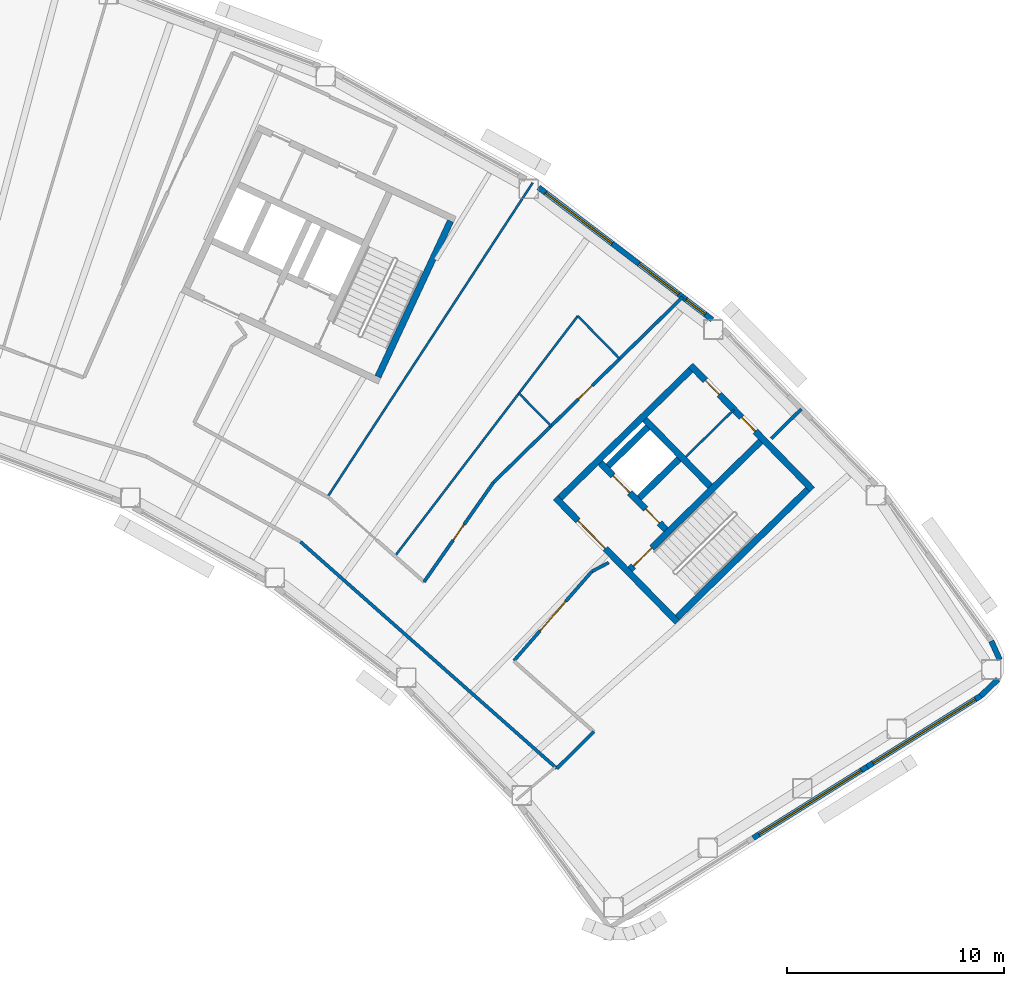
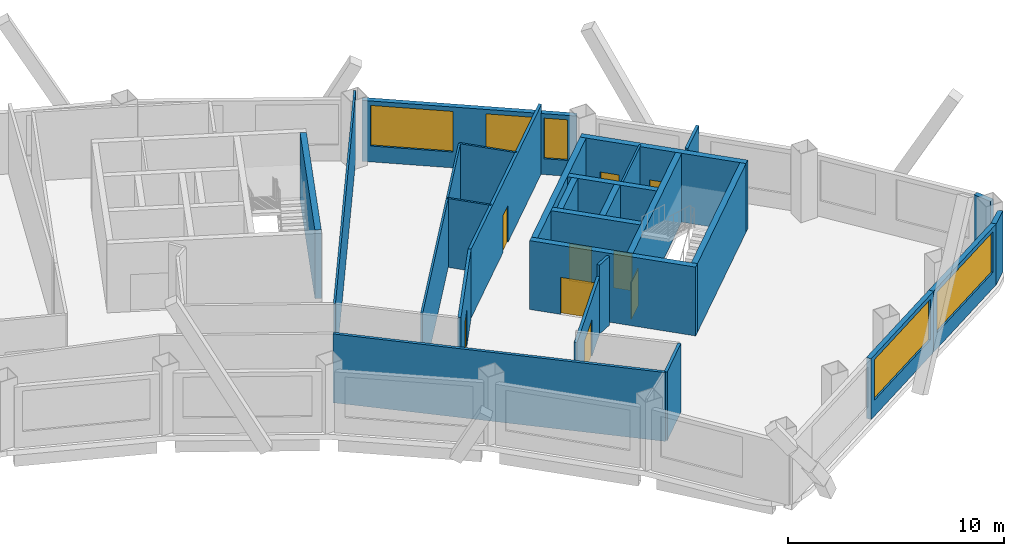
# One storey, part 9 of 13: 27 walls, 9 doors, 5 windows, 14 openings.
"""IFC4 building model written with IfcOpenShell, lengths in metres."""

from ifc_helpers import new_model, si_unit, direction, frame, frame_2d, origin, place, context, subcontext, project, spatial, rectangle, extrude, material, layer, layer_set, type_object, element, fill, save


model = new_model("IFC4")

# Units and contexts
model_context = context("Model", 3, precision=1e-05, world=origin(), true_north=direction((0.0, 1.0)))
body_context = subcontext(model_context, "Body", "Model", "MODEL_VIEW")
ifc_project = project(units=[si_unit("LENGTHUNIT", "METRE"), si_unit("AREAUNIT", "SQUARE_METRE"), si_unit("VOLUMEUNIT", "CUBIC_METRE"), si_unit("PLANEANGLEUNIT", "RADIAN"), si_unit("MASSUNIT", "GRAM", prefix="KILO")], contexts=[model_context])

# Site, building, storey
site_placement = place(None, origin())
site = spatial("IfcSite", under=ifc_project, at=site_placement, CompositionType="ELEMENT")
building_placement = place(site_placement, origin())
building = spatial("IfcBuilding", under=site, at=building_placement, Name="Tuul Gate Civic Tower", CompositionType="ELEMENT")
storey_placement = place(building_placement, frame((0.0, 0.0, 188.89990234375)))
storey = spatial("IfcBuildingStorey", under=building, at=storey_placement, Name="Level 43", CompositionType="ELEMENT", Elevation=188.89990234375)

# Wall, opening, door
ifc_material_1 = material(Name="Concrete C50/60", Category="concrete")
ifc_layer_1 = layer(ifc_material_1, 0.300048828125)
ifc_layer_set_1 = layer_set([ifc_layer_1], Name="Concrete C50/60")
wall_type_1 = type_object("IfcWallType", Name="Core wall C50/60", PredefinedType="SHEAR", material=ifc_layer_set_1)
wall_1_placement = place(storey_placement, frame((48.22509765625, -18.327880859375, 0.0), z_axis=(0.0, 0.0, 1.0), x_axis=(-0.700021979774, 0.714121297703, 0.0)))
wall_1 = element("IfcWall", 1, at=wall_1_placement, inside=storey, type_object=wall_type_1, Name="Core wall", PredefinedType="SHEAR", context=body_context, shape_type="SweptSolid", body=[
    extrude(rectangle(XDim=8.0, YDim=0.300048828125, at=frame_2d((4.0, 0.0))), origin(), (0.0, 0.0, 1.0), 3.900146484375),
])
opening_1_placement = place(wall_1_placement, frame((4.72509765625, 0.0, 0.0)))
opening_1 = element("IfcOpeningElement", 2, at=opening_1_placement, cuts=wall_1, Name="Opening LB-E1-LOBBY-1", PredefinedType="OPENING", context=body_context, shape_type="SweptSolid", body=[
    extrude(rectangle(XDim=1.800048828125, YDim=2.10009765625, at=frame_2d((0.89990234375, 1.050048828125))), frame((0.0, 0.16015625, 0.0), z_axis=(0.0, -1.0, 0.0), x_axis=(1.0, 0.0, 0.0)), (0.0, 0.0, 1.0), 0.320068359375),
])
ifc_material_2 = material(Name="Steel", Category="steel")
door_type_1 = type_object("IfcDoorType", Name="Lobby door", OperationType="DOUBLE_DOOR_SINGLE_SWING", PredefinedType="DOOR", material=ifc_material_2)
door_1_placement = place(opening_1_placement, frame((1.800048828125, 0.0, 0.0), z_axis=(0.0, 0.0, 1.0), x_axis=(-1.0, 0.0, 0.0)))
door_1 = element("IfcDoor", 3, at=door_1_placement, inside=storey, type_object=door_type_1, Name="Lobby door E1-LOBBY", OperationType="DOUBLE_DOOR_SINGLE_SWING", OverallHeight=2.10009765625, OverallWidth=1.800048828125, PredefinedType="DOOR", context=body_context, shape_type="SweptSolid", body=[
    extrude(rectangle(XDim=1.800048828125, YDim=2.10009765625, at=frame_2d((0.900146484375, 1.050048828125))), frame((0.0, 0.02490234375, 0.0), z_axis=(0.0, -1.0, 0.0), x_axis=(1.0, 0.0, 0.0)), (0.0, 0.0, 1.0), 0.050048828125),
])
fill(opening_1, door_1)

# Wall, openings, doors
wall_2_placement = place(storey_placement, frame((47.701904296875, -14.079833984375, 0.0), z_axis=(0.0, 0.0, 1.0), x_axis=(-0.700002721075, 0.714140175657, 0.0)))
wall_2 = element("IfcWall", 4, at=wall_2_placement, inside=storey, type_object=wall_type_1, Name="Core wall", PredefinedType="SHEAR", context=body_context, shape_type="SweptSolid", body=[
    extrude(rectangle(XDim=4.300048828125, YDim=0.300048828125, at=frame_2d((2.14990234375, 0.0))), origin(), (0.0, 0.0, 1.0), 3.900146484375),
])
opening_2_placement = place(wall_2_placement, frame((0.425048828125, 0.0, 0.0)))
opening_2 = element("IfcOpeningElement", 5, at=opening_2_placement, cuts=wall_2, Name="Opening FB-E1A1", PredefinedType="OPENING", context=body_context, shape_type="SweptSolid", body=[
    extrude(rectangle(XDim=0.89990234375, YDim=2.10009765625, at=frame_2d((0.449951171875, 1.050048828125))), frame((0.0, 0.16015625, 0.0), z_axis=(0.0, -1.0, 0.0), x_axis=(1.0, 0.0, 0.0)), (0.0, 0.0, 1.0), 0.320068359375),
])
opening_3_placement = place(wall_2_placement, frame((2.375, 0.0, 0.0)))
opening_3 = element("IfcOpeningElement", 6, at=opening_3_placement, cuts=wall_2, Name="Opening LD-M3", PredefinedType="OPENING", context=body_context, shape_type="SweptSolid", body=[
    extrude(rectangle(XDim=1.10009765625, YDim=2.10009765625, at=frame_2d((0.550048828125, 1.050048828125))), frame((0.0, 0.16015625, 0.0), z_axis=(0.0, -1.0, 0.0), x_axis=(1.0, 0.0, 0.0)), (0.0, 0.0, 1.0), 0.320068359375),
])
ifc_material_3 = material(Name="Stainless steel", Category="steel")
door_type_2 = type_object("IfcDoorType", Name="Landing door", OperationType="DOUBLE_DOOR_SLIDING", PredefinedType="DOOR", material=ifc_material_3)
door_2_placement = place(opening_3_placement, origin())
door_2 = element("IfcDoor", 7, at=door_2_placement, inside=storey, type_object=door_type_2, Name="Mid-rise lift M3 landing door", OperationType="DOUBLE_DOOR_SLIDING", OverallHeight=2.10009765625, OverallWidth=1.10009765625, PredefinedType="DOOR", context=body_context, shape_type="SweptSolid", body=[
    extrude(rectangle(XDim=1.10009765625, YDim=2.10009765625, at=frame_2d((0.550048828125, 1.050048828125))), frame((0.0, 0.02490234375, 0.0), z_axis=(0.0, -1.0, 0.0), x_axis=(1.0, 0.0, 0.0)), (0.0, 0.0, 1.0), 0.050048828125),
])
fill(opening_3, door_2)
ifc_material_4 = material(Name="Steel", Category="steel")
door_type_3 = type_object("IfcDoorType", Name="Store door", OperationType="NOTDEFINED", PredefinedType="DOOR", material=ifc_material_4)
door_3_placement = place(opening_2_placement, frame((0.89990234375, 0.0, 0.0), z_axis=(0.0, 0.0, 1.0), x_axis=(-1.0, 0.0, 0.0)))
door_3 = element("IfcDoor", 8, at=door_3_placement, inside=storey, type_object=door_type_3, Name="Store door E1A1", OperationType="SINGLE_SWING_RIGHT", OverallHeight=2.10009765625, OverallWidth=0.89990234375, PredefinedType="DOOR", context=body_context, shape_type="SweptSolid", body=[
    extrude(rectangle(XDim=0.89990234375, YDim=2.10009765625, at=frame_2d((0.449951171875, 1.050048828125))), frame((0.0, 0.02490234375, 0.0), z_axis=(0.0, -1.0, 0.0), x_axis=(1.0, 0.0, 0.0)), (0.0, 0.0, 1.0), 0.050048828125),
])
fill(opening_2, door_3)

# Wall
wall_3_placement = place(storey_placement, frame((49.737060546875, -12.0849609375, 0.0), z_axis=(0.0, 0.0, 1.0), x_axis=(-0.700002721075, 0.714140175657, 0.0)))
element("IfcWall", 9, at=wall_3_placement, inside=storey, type_object=wall_type_1, Name="Core wall", PredefinedType="SHEAR", context=body_context, shape_type="SweptSolid", body=[
    extrude(rectangle(XDim=4.300048828125, YDim=0.300048828125, at=frame_2d((2.14990234375, 0.0))), origin(), (0.0, 0.0, 1.0), 3.900146484375),
])

# Wall, openings, doors
wall_4_placement = place(storey_placement, frame((54.43798828125, -12.23779296875, 0.0), z_axis=(0.0, 0.0, 1.0), x_axis=(-0.700021979774, 0.714121297703, 0.0)))
wall_4 = element("IfcWall", 10, at=wall_4_placement, inside=storey, type_object=wall_type_1, Name="Core wall", PredefinedType="SHEAR", context=body_context, shape_type="SweptSolid", body=[
    extrude(rectangle(XDim=8.0, YDim=0.300048828125, at=frame_2d((4.0, 0.0))), origin(), (0.0, 0.0, 1.0), 3.900146484375),
])
opening_4_placement = place(wall_4_placement, frame((3.75, 0.0, 0.0)))
opening_4 = element("IfcOpeningElement", 11, at=opening_4_placement, cuts=wall_4, Name="Opening O-D27", PredefinedType="OPENING", context=body_context, shape_type="SweptSolid", body=[
    extrude(rectangle(XDim=0.89990234375, YDim=2.10009765625, at=frame_2d((0.449951171875, 1.050048828125))), frame((0.0, 0.16015625, 0.0), z_axis=(0.0, -1.0, 0.0), x_axis=(1.0, 0.0, 0.0)), (0.0, 0.0, 1.0), 0.320068359375),
])
opening_5_placement = place(wall_4_placement, frame((6.125, 0.0, 0.0)))
opening_5 = element("IfcOpeningElement", 12, at=opening_5_placement, cuts=wall_4, Name="Opening O-D28", PredefinedType="OPENING", context=body_context, shape_type="SweptSolid", body=[
    extrude(rectangle(XDim=0.89990234375, YDim=2.10009765625, at=frame_2d((0.449951171875, 1.050048828125))), frame((0.0, 0.16015625, 0.0), z_axis=(0.0, -1.0, 0.0), x_axis=(1.0, 0.0, 0.0)), (0.0, 0.0, 1.0), 0.320068359375),
])
ifc_material_5 = material(Name="Timber door leaf", Category="wood")
door_type_4 = type_object("IfcDoorType", Name="Door D09", OperationType="NOTDEFINED", PredefinedType="DOOR", material=ifc_material_5)
door_4_placement = place(opening_4_placement, origin())
door_4 = element("IfcDoor", 13, at=door_4_placement, inside=storey, type_object=door_type_4, Name="Door O-D27", OperationType="SINGLE_SWING_LEFT", OverallHeight=2.10009765625, OverallWidth=0.89990234375, PredefinedType="DOOR", context=body_context, shape_type="SweptSolid", body=[
    extrude(rectangle(XDim=0.89990234375, YDim=2.10009765625, at=frame_2d((0.449951171875, 1.050048828125))), frame((0.0, 0.02490234375, 0.0), z_axis=(0.0, -1.0, 0.0), x_axis=(1.0, 0.0, 0.0)), (0.0, 0.0, 1.0), 0.050048828125),
])
fill(opening_4, door_4)
door_5_placement = place(opening_5_placement, origin())
door_5 = element("IfcDoor", 14, at=door_5_placement, inside=storey, type_object=door_type_4, Name="Door O-D28", OperationType="SINGLE_SWING_LEFT", OverallHeight=2.10009765625, OverallWidth=0.89990234375, PredefinedType="DOOR", context=body_context, shape_type="SweptSolid", body=[
    extrude(rectangle(XDim=0.89990234375, YDim=2.10009765625, at=frame_2d((0.449951171875, 1.050048828125))), frame((0.0, 0.02490234375, 0.0), z_axis=(0.0, -1.0, 0.0), x_axis=(1.0, 0.0, 0.0)), (0.0, 0.0, 1.0), 0.050048828125),
])
fill(opening_5, door_5)

# Wall
wall_5_placement = place(storey_placement, frame((48.227294921875, -18.115966796875, 0.0), z_axis=(0.0, 0.0, 1.0), x_axis=(0.714105315431, 0.700038283577, 0.0)))
element("IfcWall", 15, at=wall_5_placement, inside=storey, type_object=wall_type_1, Name="Core wall", PredefinedType="SHEAR", context=body_context, shape_type="SweptSolid", body=[
    extrude(rectangle(XDim=8.400146484375, YDim=0.300048828125, at=frame_2d((4.2001953125, 0.0))), origin(), (0.0, 0.0, 1.0), 3.900146484375),
])

# Wall, opening, door
wall_6_placement = place(storey_placement, frame((46.05712890625, -15.902099609375, 0.0), z_axis=(0.0, 0.0, 1.0), x_axis=(0.714134086973, 0.700008932674, 0.0)))
wall_6 = element("IfcWall", 16, at=wall_6_placement, inside=storey, type_object=wall_type_1, Name="Core wall", PredefinedType="SHEAR", context=body_context, shape_type="SweptSolid", body=[
    extrude(rectangle(XDim=8.400146484375, YDim=0.300048828125, at=frame_2d((4.2001953125, 0.0))), origin(), (0.0, 0.0, 1.0), 3.900146484375),
])
opening_6_placement = place(wall_6_placement, frame((0.199951171875, 0.0, 0.0)))
opening_6 = element("IfcOpeningElement", 17, at=opening_6_placement, cuts=wall_6, Name="Opening SD-ST-3", PredefinedType="OPENING", context=body_context, shape_type="SweptSolid", body=[
    extrude(rectangle(XDim=1.199951171875, YDim=2.10009765625, at=frame_2d((0.60009765625, 1.050048828125))), frame((0.0, 0.16015625, 0.0), z_axis=(0.0, -1.0, 0.0), x_axis=(1.0, 0.0, 0.0)), (0.0, 0.0, 1.0), 0.320068359375),
])
ifc_material_6 = material(Name="Steel", Category="steel")
door_type_5 = type_object("IfcDoorType", Name="Stair door", OperationType="NOTDEFINED", PredefinedType="DOOR", material=ifc_material_6)
door_6_placement = place(opening_6_placement, origin())
door_6 = element("IfcDoor", 18, at=door_6_placement, inside=storey, type_object=door_type_5, Name="Stair door ST-3", OperationType="SINGLE_SWING_LEFT", OverallHeight=2.10009765625, OverallWidth=1.199951171875, PredefinedType="DOOR", context=body_context, shape_type="SweptSolid", body=[
    extrude(rectangle(XDim=1.199951171875, YDim=2.10009765625, at=frame_2d((0.60009765625, 1.050048828125))), frame((0.0, 0.02490234375, 0.0), z_axis=(0.0, -1.0, 0.0), x_axis=(1.0, 0.0, 0.0)), (0.0, 0.0, 1.0), 0.050048828125),
])
fill(opening_6, door_6)

# Walls
wall_7_placement = place(storey_placement, frame((46.47900390625, -12.617919921875, 0.0), z_axis=(0.0, 0.0, 1.0), x_axis=(0.71410944159, 0.700034074479, 0.0)))
element("IfcWall", 19, at=wall_7_placement, inside=storey, type_object=wall_type_1, Name="Core wall", PredefinedType="SHEAR", context=body_context, shape_type="SweptSolid", body=[
    extrude(rectangle(XDim=2.5498046875, YDim=0.300048828125, at=frame_2d((1.27490234375, 0.0))), origin(), (0.0, 0.0, 1.0), 3.900146484375),
])
wall_8_placement = place(storey_placement, frame((45.0439453125, -11.154052734375, 0.0), z_axis=(0.0, 0.0, 1.0), x_axis=(0.714108498262, 0.700035036773, 0.0)))
element("IfcWall", 20, at=wall_8_placement, inside=storey, type_object=wall_type_1, Name="Core wall", PredefinedType="SHEAR", context=body_context, shape_type="SweptSolid", body=[
    extrude(rectangle(XDim=2.550048828125, YDim=0.300048828125, at=frame_2d((1.27490234375, 0.0))), origin(), (0.0, 0.0, 1.0), 3.900146484375),
])
wall_9_placement = place(storey_placement, frame((42.837158203125, -12.616943359375, 0.0), z_axis=(0.0, 0.0, 1.0), x_axis=(0.714119844755, 0.700023461983, 0.0)))
element("IfcWall", 21, at=wall_9_placement, inside=storey, type_object=wall_type_1, Name="Core wall", PredefinedType="SHEAR", context=body_context, shape_type="SweptSolid", body=[
    extrude(rectangle(XDim=8.39990234375, YDim=0.300048828125, at=frame_2d((4.199951171875, 0.0))), origin(), (0.0, 0.0, 1.0), 3.900146484375),
])
wall_10_placement = place(storey_placement, frame((34.455810546875, -7.05078125, 0.0), z_axis=(0.0, 0.0, 1.0), x_axis=(0.422570768258, 0.906329932096, 0.0)))
element("IfcWall", 22, at=wall_10_placement, inside=storey, type_object=wall_type_1, Name="Core wall", PredefinedType="SHEAR", context=body_context, shape_type="SweptSolid", body=[
    extrude(rectangle(XDim=7.900146484375, YDim=0.300048828125, at=frame_2d((3.9501953125, 0.0))), origin(), (0.0, 0.0, 1.0), 3.900146484375),
])
ifc_material_7 = material(Name="Gypsum board partition")
ifc_layer_2 = layer(ifc_material_7, 0.14990234375)
ifc_layer_set_2 = layer_set([ifc_layer_2], Name="Gypsum board partition")
wall_type_2 = type_object("IfcWallType", Name="Corridor wall P150", PredefinedType="PARTITIONING", material=ifc_layer_set_2)
wall_11_placement = place(storey_placement, frame((42.68359375, -25.06103515625, 0.0), z_axis=(0.0, 0.0, 1.0), x_axis=(0.711669598432, 0.702514329155, 0.0)))
element("IfcWall", 23, at=wall_11_placement, inside=storey, type_object=wall_type_2, Name="p002", PredefinedType="PARTITIONING", context=body_context, shape_type="SweptSolid", body=[
    extrude(rectangle(XDim=2.39990234375, YDim=0.14990234375, at=frame_2d((1.199951171875, 0.0))), origin(), (0.0, 0.0, 1.0), 3.900146484375),
])
wall_12_placement = place(storey_placement, frame((44.297607421875, -16.002685546875, 0.0), z_axis=(0.0, 0.0, 1.0), x_axis=(0.885518894056, 0.464603366616, 0.0)))
element("IfcWall", 24, at=wall_12_placement, inside=storey, type_object=wall_type_2, Name="p006", PredefinedType="PARTITIONING", context=body_context, shape_type="SweptSolid", body=[
    extrude(rectangle(XDim=0.871826171875, YDim=0.14990234375, at=frame_2d((0.43603515625, 0.0))), origin(), (0.0, 0.0, 1.0), 3.900146484375),
])
wall_13_placement = place(storey_placement, frame((52.5517578125, -9.88525390625, 0.0), z_axis=(0.0, 0.0, 1.0), x_axis=(0.714076550364, 0.700067625463, 0.0)))
element("IfcWall", 25, at=wall_13_placement, inside=storey, type_object=wall_type_2, Name="p007", PredefinedType="PARTITIONING", context=body_context, shape_type="SweptSolid", body=[
    extrude(rectangle(XDim=1.9345703125, YDim=0.14990234375, at=frame_2d((0.96728515625, 0.0))), origin(), (0.0, 0.0, 1.0), 3.900146484375),
])
wall_14_placement = place(storey_placement, frame((30.89306640625, -14.639404296875, 0.0), z_axis=(0.0, 0.0, 1.0), x_axis=(0.749263018591, -0.662272548859, 0.0)))
element("IfcWall", 26, at=wall_14_placement, inside=storey, type_object=wall_type_2, Name="p008", PredefinedType="PARTITIONING", context=body_context, shape_type="SweptSolid", body=[
    extrude(rectangle(XDim=15.736083984375, YDim=0.14990234375, at=frame_2d((7.8681640625, 0.0))), origin(), (0.0, 0.0, 1.0), 3.900146484375),
])

# Wall, opening, door
wall_15_placement = place(storey_placement, frame((39.759521484375, -11.923095703125, 0.0), z_axis=(0.0, 0.0, 1.0), x_axis=(0.714135407695, 0.700007585299, 0.0)))
wall_15 = element("IfcWall", 27, at=wall_15_placement, inside=storey, type_object=wall_type_2, Name="p012", PredefinedType="PARTITIONING", context=body_context, shape_type="SweptSolid", body=[
    extrude(rectangle(XDim=12.2001953125, YDim=0.14990234375, at=frame_2d((6.10009765625, 0.0))), origin(), (0.0, 0.0, 1.0), 3.900146484375),
])
opening_7_placement = place(wall_15_placement, frame((5.4833984375, 0.0, 0.0)))
opening_7 = element("IfcOpeningElement", 28, at=opening_7_placement, cuts=wall_15, Name="Opening O-D02", PredefinedType="OPENING", context=body_context, shape_type="SweptSolid", body=[
    extrude(rectangle(XDim=0.89990234375, YDim=2.10009765625, at=frame_2d((0.449951171875, 1.050048828125))), frame((0.0, 0.0849609375, 0.0), z_axis=(0.0, -1.0, 0.0), x_axis=(1.0, 0.0, 0.0)), (0.0, 0.0, 1.0), 0.169921875),
])
door_7_placement = place(opening_7_placement, origin())
door_7 = element("IfcDoor", 29, at=door_7_placement, inside=storey, type_object=door_type_4, Name="Door O-D02", OperationType="SINGLE_SWING_RIGHT", OverallHeight=2.10009765625, OverallWidth=0.89990234375, PredefinedType="DOOR", context=body_context, shape_type="SweptSolid", body=[
    extrude(rectangle(XDim=0.89990234375, YDim=2.10009765625, at=frame_2d((0.449951171875, 1.050048828125))), frame((0.0, 0.02490234375, 0.0), z_axis=(0.0, -1.0, 0.0), x_axis=(1.0, 0.0, 0.0)), (0.0, 0.0, 1.0), 0.050048828125),
])
fill(opening_7, door_7)

wall_16_placement = place(storey_placement, frame((36.5791015625, -16.481201171875, 0.0), z_axis=(0.0, 0.0, 1.0), x_axis=(0.572223507899, 0.820097711866, 0.0)))
wall_16 = element("IfcWall", 30, at=wall_16_placement, inside=storey, type_object=wall_type_2, Name="p074", PredefinedType="PARTITIONING", context=body_context, shape_type="SweptSolid", body=[
    extrude(rectangle(XDim=5.55810546875, YDim=0.14990234375, at=frame_2d((2.779052734375, 0.0))), origin(), (0.0, 0.0, 1.0), 3.900146484375),
])
opening_8_placement = place(wall_16_placement, frame((2.3291015625, 0.0, 0.0)))
opening_8 = element("IfcOpeningElement", 31, at=opening_8_placement, cuts=wall_16, Name="Opening O-D24", PredefinedType="OPENING", context=body_context, shape_type="SweptSolid", body=[
    extrude(rectangle(XDim=0.89990234375, YDim=2.10009765625, at=frame_2d((0.449951171875, 1.050048828125))), frame((0.0, 0.0849609375, 0.0), z_axis=(0.0, -1.0, 0.0), x_axis=(1.0, 0.0, 0.0)), (0.0, 0.0, 1.0), 0.169921875),
])
door_8_placement = place(opening_8_placement, origin())
door_8 = element("IfcDoor", 32, at=door_8_placement, inside=storey, type_object=door_type_4, Name="Door O-D24", OperationType="SINGLE_SWING_RIGHT", OverallHeight=2.10009765625, OverallWidth=0.89990234375, PredefinedType="DOOR", context=body_context, shape_type="SweptSolid", body=[
    extrude(rectangle(XDim=0.89990234375, YDim=2.10009765625, at=frame_2d((0.449951171875, 1.050048828125))), frame((0.0, 0.02490234375, 0.0), z_axis=(0.0, -1.0, 0.0), x_axis=(1.0, 0.0, 0.0)), (0.0, 0.0, 1.0), 0.050048828125),
])
fill(opening_8, door_8)

ifc_material_8 = material(Name="Gypsum board partition")
ifc_layer_3 = layer(ifc_material_8, 0.14990234375)
ifc_layer_set_3 = layer_set([ifc_layer_3], Name="Gypsum board partition")
wall_type_3 = type_object("IfcWallType", Name="Corridor wall P150 3250 HIGH", PredefinedType="PARTITIONING", material=ifc_layer_set_3)
wall_17_placement = place(storey_placement, frame((40.714111328125, -20.10595703125, 0.0), z_axis=(0.0, 0.0, 1.0), x_axis=(0.657605101482, 0.753362814655, 0.0)))
wall_17 = element("IfcWall", 33, at=wall_17_placement, inside=storey, type_object=wall_type_3, Name="p005", PredefinedType="PARTITIONING", context=body_context, shape_type="SweptSolid", body=[
    extrude(rectangle(XDim=5.440673828125, YDim=0.14990234375, at=frame_2d((2.72021484375, 0.0))), origin(), (0.0, 0.0, 1.0), 3.25),
])
opening_9_placement = place(wall_17_placement, frame((1.8203125, 0.0, 0.0)))
opening_9 = element("IfcOpeningElement", 34, at=opening_9_placement, cuts=wall_17, Name="Opening O-D01", PredefinedType="OPENING", context=body_context, shape_type="SweptSolid", body=[
    extrude(rectangle(XDim=1.800048828125, YDim=2.10009765625, at=frame_2d((0.89990234375, 1.050048828125))), frame((0.0, 0.0849609375, 0.0), z_axis=(0.0, -1.0, 0.0), x_axis=(1.0, 0.0, 0.0)), (0.0, 0.0, 1.0), 0.169921875),
])
ifc_material_9 = material(Name="Timber door leaf, double", Category="wood")
door_type_6 = type_object("IfcDoorType", Name="Door D18", OperationType="DOUBLE_DOOR_SINGLE_SWING", PredefinedType="DOOR", material=ifc_material_9)
door_9_placement = place(opening_9_placement, frame((1.800048828125, 0.0, 0.0), z_axis=(0.0, 0.0, 1.0), x_axis=(-1.0, 0.0, 0.0)))
door_9 = element("IfcDoor", 35, at=door_9_placement, inside=storey, type_object=door_type_6, Name="Door O-D01", OperationType="DOUBLE_DOOR_SINGLE_SWING", OverallHeight=2.10009765625, OverallWidth=1.800048828125, PredefinedType="DOOR", context=body_context, shape_type="SweptSolid", body=[
    extrude(rectangle(XDim=1.800048828125, YDim=2.10009765625, at=frame_2d((0.900146484375, 1.050048828125))), frame((0.0, 0.02490234375, 0.0), z_axis=(0.0, -1.0, 0.0), x_axis=(1.0, 0.0, 0.0)), (0.0, 0.0, 1.0), 0.050048828125),
])
fill(opening_9, door_9)

# Walls
ifc_material_10 = material(Name="Precast concrete C40/50", Category="concrete")
ifc_layer_4 = layer(ifc_material_10, 0.25)
ifc_layer_set_4 = layer_set([ifc_layer_4], Name="Precast concrete C40/50")
wall_type_4 = type_object("IfcWallType", Name="External wall", PredefinedType="STANDARD", material=ifc_layer_set_4)
wall_18_placement = place(storey_placement, frame((62.180419921875, -21.725830078125, 0.0), z_axis=(0.0, 0.0, 1.0), x_axis=(0.722107994372, 0.691780344087, 0.0)))
element("IfcWall", 36, at=wall_18_placement, inside=storey, type_object=wall_type_4, Name="External wall", PredefinedType="STANDARD", context=body_context, shape_type="SweptSolid", body=[
    extrude(rectangle(XDim=1.102783203125, YDim=0.25, at=frame_2d((0.55126953125, 0.0))), origin(), (0.0, 0.0, 1.0), 3.4501953125),
])
wall_19_placement = place(storey_placement, frame((63.0546875, -20.06298828125, 0.0), z_axis=(0.0, 0.0, 1.0), x_axis=(-0.413528765966, 0.910491054167, 0.0)))
element("IfcWall", 37, at=wall_19_placement, inside=storey, type_object=wall_type_4, Name="External wall", PredefinedType="STANDARD", context=body_context, shape_type="SweptSolid", body=[
    extrude(rectangle(XDim=0.939208984375, YDim=0.25, at=frame_2d((0.4697265625, 0.0))), origin(), (0.0, 0.0, 1.0), 3.4501953125),
])

# Wall, openings, windows
wall_20_placement = place(storey_placement, frame((49.83251953125, -4.425048828125, 0.0), z_axis=(0.0, 0.0, 1.0), x_axis=(-0.795600211162, 0.605822006862, 0.0)))
wall_20 = element("IfcWall", 38, at=wall_20_placement, inside=storey, type_object=wall_type_4, Name="External wall", PredefinedType="STANDARD", context=body_context, shape_type="SweptSolid", body=[
    extrude(rectangle(XDim=10.043212890625, YDim=0.25, at=frame_2d((5.021484375, 0.0))), origin(), (0.0, 0.0, 1.0), 3.4501953125),
])
opening_10_placement = place(wall_20_placement, frame((5.782958984375, 0.0, 0.89990234375)))
opening_10 = element("IfcOpeningElement", 39, at=opening_10_placement, cuts=wall_20, Name="Opening W22", PredefinedType="OPENING", context=body_context, shape_type="SweptSolid", body=[
    extrude(rectangle(XDim=3.85009765625, YDim=2.300048828125, at=frame_2d((1.925048828125, 1.14990234375))), frame((0.0, 0.135009765625, 0.0), z_axis=(0.0, -1.0, 0.0), x_axis=(1.0, 0.0, 0.0)), (0.0, 0.0, 1.0), 0.27001953125),
])
opening_11_placement = place(wall_20_placement, frame((0.412841796875, 0.0, 0.89990234375)))
opening_11 = element("IfcOpeningElement", 40, at=opening_11_placement, cuts=wall_20, Name="Opening W33", PredefinedType="OPENING", context=body_context, shape_type="SweptSolid", body=[
    extrude(rectangle(XDim=1.10009765625, YDim=2.300048828125, at=frame_2d((0.550048828125, 1.14990234375))), frame((0.0, 0.135009765625, 0.0), z_axis=(0.0, -1.0, 0.0), x_axis=(1.0, 0.0, 0.0)), (0.0, 0.0, 1.0), 0.27001953125),
])
opening_12_placement = place(wall_20_placement, frame((1.937744140625, 0.0, 0.89990234375)))
opening_12 = element("IfcOpeningElement", 41, at=opening_12_placement, cuts=wall_20, Name="Opening W34", PredefinedType="OPENING", context=body_context, shape_type="SweptSolid", body=[
    extrude(rectangle(XDim=2.300048828125, YDim=2.300048828125, at=frame_2d((1.14990234375, 1.14990234375))), frame((0.0, 0.135009765625, 0.0), z_axis=(0.0, -1.0, 0.0), x_axis=(1.0, 0.0, 0.0)), (0.0, 0.0, 1.0), 0.27001953125),
])
ifc_material_11 = material(Name="Glass", Category="glass")
window_type_1 = type_object("IfcWindowType", Name="Window 1100 x 2300", PartitioningType="SINGLE_PANEL", PredefinedType="WINDOW", material=ifc_material_11)
window_1_placement = place(opening_11_placement, origin())
window_1 = element("IfcWindow", 42, at=window_1_placement, inside=storey, type_object=window_type_1, Name="Window", OverallHeight=2.300048828125, OverallWidth=1.10009765625, PartitioningType="SINGLE_PANEL", PredefinedType="WINDOW", context=body_context, shape_type="SweptSolid", body=[
    extrude(rectangle(XDim=1.10009765625, YDim=2.300048828125, at=frame_2d((0.550048828125, 1.14990234375))), frame((0.0, 0.030029296875, 0.0), z_axis=(0.0, -1.0, 0.0), x_axis=(1.0, 0.0, 0.0)), (0.0, 0.0, 1.0), 0.06005859375),
])
fill(opening_11, window_1)
ifc_material_12 = material(Name="Glass", Category="glass")
window_type_2 = type_object("IfcWindowType", Name="Window 2300 x 2300", PartitioningType="SINGLE_PANEL", PredefinedType="WINDOW", material=ifc_material_12)
window_2_placement = place(opening_12_placement, origin())
window_2 = element("IfcWindow", 43, at=window_2_placement, inside=storey, type_object=window_type_2, Name="Window", OverallHeight=2.300048828125, OverallWidth=2.300048828125, PartitioningType="SINGLE_PANEL", PredefinedType="WINDOW", context=body_context, shape_type="SweptSolid", body=[
    extrude(rectangle(XDim=2.300048828125, YDim=2.300048828125, at=frame_2d((1.14990234375, 1.14990234375))), frame((0.0, 0.030029296875, 0.0), z_axis=(0.0, -1.0, 0.0), x_axis=(1.0, 0.0, 0.0)), (0.0, 0.0, 1.0), 0.06005859375),
])
fill(opening_12, window_2)
ifc_material_13 = material(Name="Glass", Category="glass")
window_type_3 = type_object("IfcWindowType", Name="Window W22 3850 x 2300", PartitioningType="SINGLE_PANEL", PredefinedType="WINDOW", material=ifc_material_13)
window_3_placement = place(opening_10_placement, origin())
window_3 = element("IfcWindow", 44, at=window_3_placement, inside=storey, type_object=window_type_3, Name="Window", OverallHeight=2.300048828125, OverallWidth=3.85009765625, PartitioningType="SINGLE_PANEL", PredefinedType="WINDOW", context=body_context, shape_type="SweptSolid", body=[
    extrude(rectangle(XDim=3.85009765625, YDim=2.300048828125, at=frame_2d((1.925048828125, 1.14990234375))), frame((0.0, 0.030029296875, 0.0), z_axis=(0.0, -1.0, 0.0), x_axis=(1.0, 0.0, 0.0)), (0.0, 0.0, 1.0), 0.06005859375),
])
fill(opening_10, window_3)

# Wall, opening, window
wall_21_placement = place(storey_placement, frame((51.714111328125, -28.2626953125, 0.0), z_axis=(0.0, 0.0, 1.0), x_axis=(0.848053758074, 0.529910203164, 0.0)))
wall_21 = element("IfcWall", 45, at=wall_21_placement, inside=storey, type_object=wall_type_4, Name="External wall", PredefinedType="STANDARD", context=body_context, shape_type="SweptSolid", body=[
    extrude(rectangle(XDim=6.182861328125, YDim=0.25, at=frame_2d((3.09130859375, 0.0))), origin(), (0.0, 0.0, 1.0), 3.4501953125),
])
opening_13_placement = place(wall_21_placement, frame((0.31640625, 0.0, 0.89990234375)))
opening_13 = element("IfcOpeningElement", 46, at=opening_13_placement, cuts=wall_21, Name="Opening W24", PredefinedType="OPENING", context=body_context, shape_type="SweptSolid", body=[
    extrude(rectangle(XDim=5.550048828125, YDim=2.300048828125, at=frame_2d((2.77490234375, 1.14990234375))), frame((0.0, 0.135009765625, 0.0), z_axis=(0.0, -1.0, 0.0), x_axis=(1.0, 0.0, 0.0)), (0.0, 0.0, 1.0), 0.27001953125),
])
ifc_material_14 = material(Name="Glass", Category="glass")
window_type_4 = type_object("IfcWindowType", Name="Window W24 5550 x 2300", PartitioningType="SINGLE_PANEL", PredefinedType="WINDOW", material=ifc_material_14)
window_4_placement = place(opening_13_placement, origin())
window_4 = element("IfcWindow", 47, at=window_4_placement, inside=storey, type_object=window_type_4, Name="Window", OverallHeight=2.300048828125, OverallWidth=5.550048828125, PartitioningType="SINGLE_PANEL", PredefinedType="WINDOW", context=body_context, shape_type="SweptSolid", body=[
    extrude(rectangle(XDim=5.550048828125, YDim=2.300048828125, at=frame_2d((2.77490234375, 1.14990234375))), frame((0.0, 0.030029296875, 0.0), z_axis=(0.0, -1.0, 0.0), x_axis=(1.0, 0.0, 0.0)), (0.0, 0.0, 1.0), 0.06005859375),
])
fill(opening_13, window_4)

wall_22_placement = place(storey_placement, frame((56.95751953125, -24.986328125, 0.0), z_axis=(0.0, 0.0, 1.0), x_axis=(0.848042669488, 0.529927948619, 0.0)))
wall_22 = element("IfcWall", 48, at=wall_22_placement, inside=storey, type_object=wall_type_4, Name="External wall", PredefinedType="STANDARD", context=body_context, shape_type="SweptSolid", body=[
    extrude(rectangle(XDim=6.1826171875, YDim=0.25, at=frame_2d((3.09130859375, 0.0))), origin(), (0.0, 0.0, 1.0), 3.4501953125),
])
opening_14_placement = place(wall_22_placement, frame((0.31640625, 0.0, 0.89990234375)))
opening_14 = element("IfcOpeningElement", 49, at=opening_14_placement, cuts=wall_22, Name="Opening W24", PredefinedType="OPENING", context=body_context, shape_type="SweptSolid", body=[
    extrude(rectangle(XDim=5.550048828125, YDim=2.300048828125, at=frame_2d((2.77490234375, 1.14990234375))), frame((0.0, 0.135009765625, 0.0), z_axis=(0.0, -1.0, 0.0), x_axis=(1.0, 0.0, 0.0)), (0.0, 0.0, 1.0), 0.27001953125),
])
window_5_placement = place(opening_14_placement, origin())
window_5 = element("IfcWindow", 50, at=window_5_placement, inside=storey, type_object=window_type_4, Name="Window", OverallHeight=2.300048828125, OverallWidth=5.550048828125, PartitioningType="SINGLE_PANEL", PredefinedType="WINDOW", context=body_context, shape_type="SweptSolid", body=[
    extrude(rectangle(XDim=5.550048828125, YDim=2.300048828125, at=frame_2d((2.77490234375, 1.14990234375))), frame((0.0, 0.030029296875, 0.0), z_axis=(0.0, -1.0, 0.0), x_axis=(1.0, 0.0, 0.0)), (0.0, 0.0, 1.0), 0.06005859375),
])
fill(opening_14, window_5)

# Walls
ifc_material_15 = material(Name="Gypsum board partition")
ifc_layer_5 = layer(ifc_material_15, 0.10009765625)
ifc_layer_set_5 = layer_set([ifc_layer_5], Name="Gypsum board partition")
wall_type_5 = type_object("IfcWallType", Name="Partition P100", PredefinedType="PARTITIONING", material=ifc_layer_set_5)
wall_23_placement = place(storey_placement, frame((40.9423828125, -7.810791015625, 0.0), z_axis=(0.0, 0.0, 1.0), x_axis=(0.700067938465, -0.714076243501, 0.0)))
element("IfcWall", 51, at=wall_23_placement, inside=storey, type_object=wall_type_5, Name="p009", PredefinedType="PARTITIONING", context=body_context, shape_type="SweptSolid", body=[
    extrude(rectangle(XDim=2.10888671875, YDim=0.10009765625, at=frame_2d((1.054443359375, 0.0))), origin(), (0.0, 0.0, 1.0), 3.900146484375),
])
wall_24_placement = place(storey_placement, frame((35.240234375, -15.299560546875, 0.0), z_axis=(0.0, 0.0, 1.0), x_axis=(0.605790384848, 0.795624289238, 0.0)))
element("IfcWall", 52, at=wall_24_placement, inside=storey, type_object=wall_type_5, Name="p010", PredefinedType="PARTITIONING", context=body_context, shape_type="SweptSolid", body=[
    extrude(rectangle(XDim=13.87939453125, YDim=0.10009765625, at=frame_2d((6.939697265625, 0.0))), origin(), (0.0, 0.0, 1.0), 3.900146484375),
])
wall_25_placement = place(storey_placement, frame((43.648193359375, -4.2568359375, 0.0), z_axis=(0.0, 0.0, 1.0), x_axis=(0.699975633534, -0.714166725953, 0.0)))
element("IfcWall", 53, at=wall_25_placement, inside=storey, type_object=wall_type_5, Name="p011", PredefinedType="PARTITIONING", context=body_context, shape_type="SweptSolid", body=[
    extrude(rectangle(XDim=2.752685546875, YDim=0.10009765625, at=frame_2d((1.37646484375, 0.0))), origin(), (0.0, 0.0, 1.0), 3.900146484375),
])
wall_26_placement = place(storey_placement, frame((32.135498046875, -12.58349609375, 0.0), z_axis=(0.0, 0.0, 1.0), x_axis=(0.546734065406, 0.837306312961, 0.0)))
element("IfcWall", 54, at=wall_26_placement, inside=storey, type_object=wall_type_5, Name="p013", PredefinedType="PARTITIONING", context=body_context, shape_type="SweptSolid", body=[
    extrude(rectangle(XDim=17.261962890625, YDim=0.10009765625, at=frame_2d((8.630859375, 0.0))), origin(), (0.0, 0.0, 1.0), 3.900146484375),
])
wall_27_placement = place(storey_placement, frame((48.619140625, -10.72998046875, 0.0), z_axis=(0.0, 0.0, 1.0), x_axis=(0.714159293908, 0.699983216173, 0.0)))
element("IfcWall", 55, at=wall_27_placement, inside=storey, type_object=wall_type_5, Name="bE1-BAND-0", PredefinedType="PARTITIONING", context=body_context, shape_type="SweptSolid", body=[
    extrude(rectangle(XDim=3.099853515625, YDim=0.10009765625, at=frame_2d((1.5498046875, 0.0))), origin(), (0.0, 0.0, 1.0), 3.900146484375),
])

save(model, "model.ifc")
